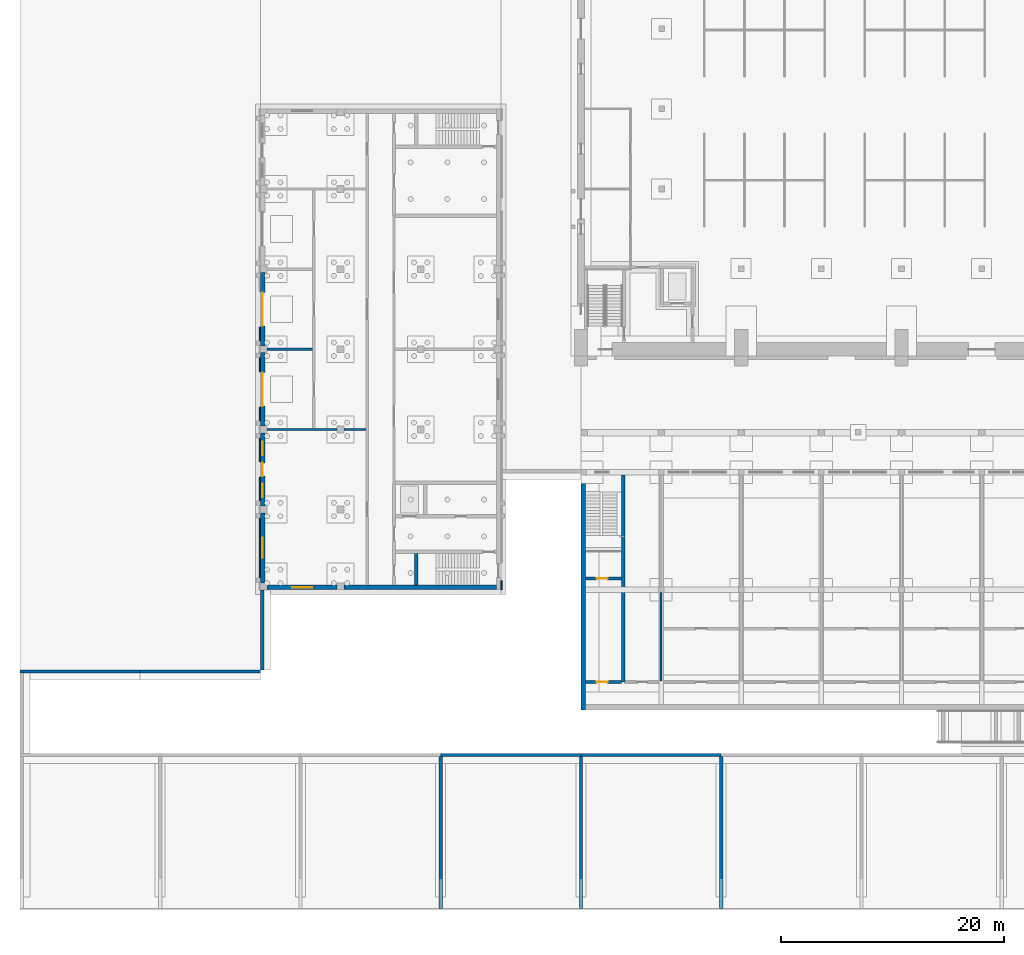
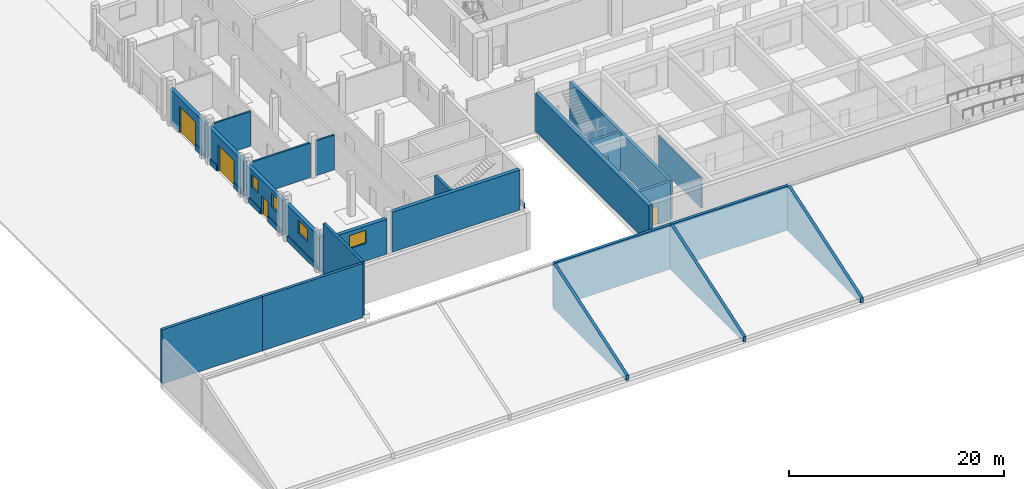
# One storey, part 28 of 73: 30 walls, 5 doors, 4 windows, 9 openings.
"""IFC4 building model written with IfcOpenShell, lengths in metres."""

from ifc_helpers import new_model, si_unit, direction, frame, frame_2d, origin, place, context, subcontext, project, spatial, polyline, rectangle, outline, extrude, material, layer, layer_set, type_object, element, fill, save


model = new_model("IFC4")

# Units and contexts
model_context = context("Model", 3, precision=1e-05, world=origin(), true_north=direction((0.0, 1.0)))
body_context = subcontext(model_context, "Body", "Model", "MODEL_VIEW")
ifc_project = project(units=[si_unit("LENGTHUNIT", "METRE"), si_unit("AREAUNIT", "SQUARE_METRE"), si_unit("VOLUMEUNIT", "CUBIC_METRE"), si_unit("PLANEANGLEUNIT", "RADIAN"), si_unit("MASSUNIT", "GRAM", prefix="KILO")], contexts=[model_context])

# Site, building, storey
site_placement = place(None, origin())
site = spatial("IfcSite", under=ifc_project, at=site_placement, CompositionType="ELEMENT")
building_placement = place(site_placement, origin())
building = spatial("IfcBuilding", under=site, at=building_placement, Name="Alderwick Market Hall", CompositionType="ELEMENT")
storey_placement = place(building_placement, origin())
storey = spatial("IfcBuildingStorey", under=building, at=storey_placement, Name="LG", CompositionType="ELEMENT", Elevation=0.0)

# Walls
ifc_material_1 = material(Name="Concrete masonry 3000 psi", Category="masonry")
ifc_layer_1 = layer(ifc_material_1, 0.199951171875)
ifc_layer_set_1 = layer_set([ifc_layer_1], Name="Concrete masonry 3000 psi")
wall_type_1 = type_object("IfcWallType", Name="A Masonry Partition 200", PredefinedType="PARTITIONING", material=ifc_layer_set_1)
wall_1_placement = place(storey_placement, frame((57.60009765625, 20.60009765625, 0.0), z_axis=(0.0, 0.0, 1.0), x_axis=(0.0, 1.0, 0.0)))
element("IfcWall", 1, at=wall_1_placement, inside=storey, type_object=wall_type_1, Name="A.S.wall.025", PredefinedType="PARTITIONING", context=body_context, shape_type="SweptSolid", body=[
    extrude(rectangle(XDim=7.949951171875, YDim=0.199951171875, at=frame_2d((3.97509765625, 0.0))), origin(), (0.0, 0.0, 1.0), 3.5),
])
ifc_material_2 = material(Name="Concrete 5000 psi (f'c 35 MPa)", Category="concrete")
ifc_layer_2 = layer(ifc_material_2, 0.39990234375)
ifc_layer_set_2 = layer_set([ifc_layer_2], Name="Concrete 5000 psi (f'c 35 MPa)")
wall_type_2 = type_object("IfcWallType", Name="A RC End Wall 400", PredefinedType="SHEAR", material=ifc_layer_set_2)
wall_2_placement = place(storey_placement, frame((50.60009765625, 18.0, 0.0), z_axis=(0.0, 0.0, 1.0), x_axis=(0.0, 1.0, 0.0)))
element("IfcWall", 2, at=wall_2_placement, inside=storey, type_object=wall_type_2, Name="A.S.wall.023", PredefinedType="SHEAR", context=body_context, shape_type="SweptSolid", body=[
    extrude(rectangle(XDim=21.10009765625, YDim=0.39990234375, at=frame_2d((10.550048828125, 0.0))), origin(), (0.0, 0.0, 1.0), 4.39990234375),
])

# Wall, opening, door
ifc_layer_3 = layer(ifc_material_2, 0.300048828125)
ifc_layer_set_3 = layer_set([ifc_layer_3], Name="Concrete 5000 psi (f'c 35 MPa)")
wall_type_3 = type_object("IfcWallType", Name="A RC Stair Core Wall 300", PredefinedType="SHEAR", material=ifc_layer_set_3)
wall_3_placement = place(storey_placement, frame((50.800048828125, 20.5, 0.0), z_axis=(0.0, 0.0, 1.0), x_axis=(1.0, 0.0, 0.0)))
wall_3 = element("IfcWall", 3, at=wall_3_placement, inside=storey, type_object=wall_type_3, Name="A.S.wall.001", PredefinedType="SHEAR", context=body_context, shape_type="SweptSolid", body=[
    extrude(rectangle(XDim=3.25, YDim=0.300048828125, at=frame_2d((1.625, 0.0))), origin(), (0.0, 0.0, 1.0), 4.39990234375),
])
opening_1_placement = place(wall_3_placement, frame((1.0, 0.0, 0.0)))
opening_1 = element("IfcOpeningElement", 4, at=opening_1_placement, cuts=wall_3, Name="Opening A-D091", PredefinedType="OPENING", context=body_context, shape_type="SweptSolid", body=[
    extrude(rectangle(XDim=1.0, YDim=2.10009765625, at=frame_2d((0.5, 1.050048828125))), frame((0.0, 0.159912109375, 0.0), z_axis=(0.0, -1.0, 0.0), x_axis=(1.0, 0.0, 0.0)), (0.0, 0.0, 1.0), 0.320068359375),
])
ifc_material_3 = material(Name="Hollow metal fire door and frame")
door_type_1 = type_object("IfcDoorType", Name="A Fire Door 1000x2100", OperationType="SINGLE_SWING_LEFT", PredefinedType="DOOR", material=ifc_material_3)
door_1_placement = place(opening_1_placement, origin())
door_1 = element("IfcDoor", 5, at=door_1_placement, inside=storey, type_object=door_type_1, Name="Stair lobby corridor door", OperationType="SINGLE_SWING_LEFT", OverallHeight=2.10009765625, OverallWidth=1.0, PredefinedType="DOOR", context=body_context, shape_type="SweptSolid", body=[
    extrude(rectangle(XDim=1.0, YDim=2.10009765625, at=frame_2d((0.5, 1.050048828125))), frame((0.0, 0.02490234375, 0.0), z_axis=(0.0, -1.0, 0.0), x_axis=(1.0, 0.0, 0.0)), (0.0, 0.0, 1.0), 0.050048828125),
])
fill(opening_1, door_1)

wall_4_placement = place(storey_placement, frame((50.800048828125, 29.800048828125, 0.0), z_axis=(0.0, 0.0, 1.0), x_axis=(1.0, 0.0, 0.0)))
wall_4 = element("IfcWall", 6, at=wall_4_placement, inside=storey, type_object=wall_type_3, Name="A.S.wall.005", PredefinedType="SHEAR", context=body_context, shape_type="SweptSolid", body=[
    extrude(rectangle(XDim=3.25, YDim=0.300048828125, at=frame_2d((1.625, 0.0))), origin(), (0.0, 0.0, 1.0), 4.39990234375),
])
opening_2_placement = place(wall_4_placement, frame((1.0, 0.0, 0.0)))
opening_2 = element("IfcOpeningElement", 7, at=opening_2_placement, cuts=wall_4, Name="Opening A-D090", PredefinedType="OPENING", context=body_context, shape_type="SweptSolid", body=[
    extrude(rectangle(XDim=1.0, YDim=2.10009765625, at=frame_2d((0.5, 1.050048828125))), frame((0.0, 0.159912109375, 0.0), z_axis=(0.0, -1.0, 0.0), x_axis=(1.0, 0.0, 0.0)), (0.0, 0.0, 1.0), 0.320068359375),
])
door_2_placement = place(opening_2_placement, origin())
door_2 = element("IfcDoor", 8, at=door_2_placement, inside=storey, type_object=door_type_1, Name="Roof stair lobby door", OperationType="SINGLE_SWING_RIGHT", OverallHeight=2.10009765625, OverallWidth=1.0, PredefinedType="DOOR", context=body_context, shape_type="SweptSolid", body=[
    extrude(rectangle(XDim=1.0, YDim=2.10009765625, at=frame_2d((0.5, 1.050048828125))), frame((0.0, 0.02490234375, 0.0), z_axis=(0.0, -1.0, 0.0), x_axis=(1.0, 0.0, 0.0)), (0.0, 0.0, 1.0), 0.050048828125),
])
fill(opening_2, door_2)

# Walls
wall_5_placement = place(storey_placement, frame((54.199951171875, 20.5, 0.0), z_axis=(0.0, 0.0, 1.0), x_axis=(0.0, 1.0, 0.0)))
element("IfcWall", 9, at=wall_5_placement, inside=storey, type_object=wall_type_3, Name="A.S.wall.024", PredefinedType="SHEAR", context=body_context, shape_type="SweptSolid", body=[
    extrude(rectangle(XDim=18.60009765625, YDim=0.300048828125, at=frame_2d((9.300048828125, 0.0))), origin(), (0.0, 0.0, 1.0), 4.39990234375),
])
ifc_material_4 = material(Name="Cast stone 5000 psi", Category="masonry")
ifc_layer_4 = layer(ifc_material_4, 0.1201171875)
ifc_layer_set_4 = layer_set([ifc_layer_4], Name="Cast stone 5000 psi")
wall_type_4 = type_object("IfcWallType", Name="B Cast Stone Base Course 120", PredefinedType="SOLIDWALL", material=ifc_layer_set_4)
wall_6_placement = place(storey_placement, frame((21.5400390625, 29.85009765625, 0.0), z_axis=(0.0, 0.0, 1.0), x_axis=(0.0, 1.0, 0.0)))
element("IfcWall", 10, at=wall_6_placement, inside=storey, type_object=wall_type_4, Name="B.S.base.W.01", PredefinedType="SOLIDWALL", context=body_context, shape_type="SweptSolid", body=[
    extrude(rectangle(XDim=5.39990234375, YDim=0.1201171875, at=frame_2d((2.699951171875, 0.0))), origin(), (0.0, 0.0, 1.0), 0.60009765625),
])
for number, where, z_axis, x_axis, name in (
    (11, (21.5400390625, 36.75, 0.0), (0.0, 0.0, 1.0), (0.0, 1.0, 0.0), "B.S.base.W.03"),
    (12, (21.5400390625, 40.300048828125, 0.0), (0.0, 0.0, 1.0), (0.0, 1.0, 0.0), "B.S.base.W.04"),
):
    element("IfcWall", number, at=place(storey_placement, frame(where, z_axis=z_axis, x_axis=x_axis)), inside=storey, type_object=wall_type_4, Name=name, PredefinedType="SOLIDWALL", context=body_context, shape_type="SweptSolid", body=[
        extrude(rectangle(XDim=2.14990234375, YDim=0.1201171875, at=frame_2d((1.074951171875, 0.0))), origin(), (0.0, 0.0, 1.0), 0.60009765625),
    ])
for number, where, z_axis, x_axis, name in (
    (13, (21.5400390625, 43.949951171875, 0.0), (0.0, 0.0, 1.0), (0.0, 1.0, 0.0), "B.S.base.W.06"),
    (14, (21.5400390625, 48.39990234375, 0.0), (0.0, 0.0, 1.0), (0.0, 1.0, 0.0), "B.S.base.W.07"),
    (15, (21.5400390625, 51.14990234375, 0.0), (0.0, 0.0, 1.0), (0.0, 1.0, 0.0), "B.S.base.W.09"),
):
    element("IfcWall", number, at=place(storey_placement, frame(where, z_axis=z_axis, x_axis=x_axis)), inside=storey, type_object=wall_type_4, Name=name, PredefinedType="SOLIDWALL", context=body_context, shape_type="SweptSolid", body=[
        extrude(rectangle(XDim=1.25, YDim=0.1201171875, at=frame_2d((0.625, 0.0))), origin(), (0.0, 0.0, 1.0), 0.60009765625),
    ])
wall_7_placement = place(storey_placement, frame((43.260009765625, 28.800048828125, 0.0), z_axis=(0.0, 0.0, 1.0), x_axis=(0.0, 1.0, 0.0)))
element("IfcWall", 16, at=wall_7_placement, inside=storey, type_object=wall_type_4, Name="B.S.base.E.00", PredefinedType="SOLIDWALL", context=body_context, shape_type="SweptSolid", body=[
    extrude(rectangle(XDim=0.800048828125, YDim=0.1201171875, at=frame_2d((0.39990234375, 0.0))), origin(), (0.0, 0.0, 1.0), 0.60009765625),
])

# Wall, opening, window
ifc_layer_5 = layer(ifc_material_4, 0.39990234375)
ifc_layer_set_5 = layer_set([ifc_layer_5], Name="Cast stone 5000 psi")
wall_type_5 = type_object("IfcWallType", Name="B Cast Stone Base Wall 400", PredefinedType="SOLIDWALL", material=ifc_layer_set_5)
wall_8_placement = place(storey_placement, frame((22.199951171875, 29.0, 0.0), z_axis=(0.0, 0.0, 1.0), x_axis=(1.0, 0.0, 0.0)))
wall_8 = element("IfcWall", 17, at=wall_8_placement, inside=storey, type_object=wall_type_5, Name="B.S.wall.LG.000", PredefinedType="SOLIDWALL", context=body_context, shape_type="SweptSolid", body=[
    extrude(rectangle(XDim=6.300048828125, YDim=0.39990234375, at=frame_2d((3.14990234375, 0.0))), origin(), (0.0, 0.0, 1.0), 3.949951171875),
])
opening_3_placement = place(wall_8_placement, frame((2.25, 0.0, 2.0)))
opening_3 = element("IfcOpeningElement", 18, at=opening_3_placement, cuts=wall_8, Name="Opening B-W065", PredefinedType="OPENING", context=body_context, shape_type="SweptSolid", body=[
    extrude(rectangle(XDim=1.800048828125, YDim=1.5, at=frame_2d((0.89990234375, 0.75))), frame((0.0, 0.2099609375, 0.0), z_axis=(0.0, -1.0, 0.0), x_axis=(1.0, 0.0, 0.0)), (0.0, 0.0, 1.0), 0.419921875),
])
ifc_material_5 = material(Name="Aluminium frame", Category="aluminium")
window_type_1 = type_object("IfcWindowType", Name="B Window 1800x1500", PartitioningType="SINGLE_PANEL", PredefinedType="WINDOW", material=ifc_material_5)
window_1_placement = place(opening_3_placement, origin())
window_1 = element("IfcWindow", 19, at=window_1_placement, inside=storey, type_object=window_type_1, Name="Window B-W065", OverallHeight=1.5, OverallWidth=1.800048828125, PartitioningType="SINGLE_PANEL", PredefinedType="WINDOW", context=body_context, shape_type="SweptSolid", body=[
    extrude(rectangle(XDim=1.800048828125, YDim=1.5, at=frame_2d((0.89990234375, 0.75))), frame((0.0, 0.030029296875, 0.0), z_axis=(0.0, -1.0, 0.0), x_axis=(1.0, 0.0, 0.0)), (0.0, 0.0, 1.0), 0.06005859375),
])
fill(opening_3, window_1)

wall_9_placement = place(storey_placement, frame((21.800048828125, 29.39990234375, 0.0), z_axis=(0.0, 0.0, 1.0), x_axis=(0.0, 1.0, 0.0)))
wall_9 = element("IfcWall", 20, at=wall_9_placement, inside=storey, type_object=wall_type_5, Name="B.S.wall.LG.017", PredefinedType="SOLIDWALL", context=body_context, shape_type="SweptSolid", body=[
    extrude(rectangle(XDim=6.300048828125, YDim=0.39990234375, at=frame_2d((3.14990234375, 0.0))), origin(), (0.0, 0.0, 1.0), 3.949951171875),
])
opening_4_placement = place(wall_9_placement, frame((2.25, 0.0, 2.0)))
opening_4 = element("IfcOpeningElement", 21, at=opening_4_placement, cuts=wall_9, Name="Opening B-W067", PredefinedType="OPENING", context=body_context, shape_type="SweptSolid", body=[
    extrude(rectangle(XDim=1.800048828125, YDim=1.5, at=frame_2d((0.89990234375, 0.75))), frame((0.0, 0.2099609375, 0.0), z_axis=(0.0, -1.0, 0.0), x_axis=(1.0, 0.0, 0.0)), (0.0, 0.0, 1.0), 0.419921875),
])
window_2_placement = place(opening_4_placement, origin())
window_2 = element("IfcWindow", 22, at=window_2_placement, inside=storey, type_object=window_type_1, Name="Window B-W067", OverallHeight=1.5, OverallWidth=1.800048828125, PartitioningType="SINGLE_PANEL", PredefinedType="WINDOW", context=body_context, shape_type="SweptSolid", body=[
    extrude(rectangle(XDim=1.800048828125, YDim=1.5, at=frame_2d((0.89990234375, 0.75))), frame((0.0, 0.030029296875, 0.0), z_axis=(0.0, -1.0, 0.0), x_axis=(1.0, 0.0, 0.0)), (0.0, 0.0, 1.0), 0.06005859375),
])
fill(opening_4, window_2)

# Wall, openings, door, windows
wall_10_placement = place(storey_placement, frame((21.800048828125, 36.300048828125, 0.0), z_axis=(0.0, 0.0, 1.0), x_axis=(0.0, 1.0, 0.0)))
wall_10 = element("IfcWall", 23, at=wall_10_placement, inside=storey, type_object=wall_type_5, Name="B.S.wall.LG.018", PredefinedType="SOLIDWALL", context=body_context, shape_type="SweptSolid", body=[
    extrude(rectangle(XDim=6.599853515625, YDim=0.39990234375, at=frame_2d((3.2998046875, 0.0))), origin(), (0.0, 0.0, 1.0), 3.949951171875),
])
opening_5_placement = place(wall_10_placement, frame((2.699951171875, 0.0, 0.0)))
opening_5 = element("IfcOpeningElement", 24, at=opening_5_placement, cuts=wall_10, Name="Opening B-D010", PredefinedType="OPENING", context=body_context, shape_type="SweptSolid", body=[
    extrude(rectangle(XDim=1.199951171875, YDim=2.10009765625, at=frame_2d((0.60009765625, 1.050048828125))), frame((0.0, 0.2099609375, 0.0), z_axis=(0.0, -1.0, 0.0), x_axis=(1.0, 0.0, 0.0)), (0.0, 0.0, 1.0), 0.419921875),
])
opening_6_placement = place(wall_10_placement, frame((0.824951171875, 0.0, 2.0)))
opening_6 = element("IfcOpeningElement", 25, at=opening_6_placement, cuts=wall_10, Name="Opening B-W068", PredefinedType="OPENING", context=body_context, shape_type="SweptSolid", body=[
    extrude(rectangle(XDim=1.199951171875, YDim=1.5, at=frame_2d((0.60009765625, 0.75))), frame((0.0, 0.2099609375, 0.0), z_axis=(0.0, -1.0, 0.0), x_axis=(1.0, 0.0, 0.0)), (0.0, 0.0, 1.0), 0.419921875),
])
opening_7_placement = place(wall_10_placement, frame((4.574951171875, 0.0, 2.0)))
opening_7 = element("IfcOpeningElement", 26, at=opening_7_placement, cuts=wall_10, Name="Opening B-W069", PredefinedType="OPENING", context=body_context, shape_type="SweptSolid", body=[
    extrude(rectangle(XDim=1.199951171875, YDim=1.5, at=frame_2d((0.60009765625, 0.75))), frame((0.0, 0.2099609375, 0.0), z_axis=(0.0, -1.0, 0.0), x_axis=(1.0, 0.0, 0.0)), (0.0, 0.0, 1.0), 0.419921875),
])
ifc_material_6 = material(Name="Hollow metal door and frame")
door_type_2 = type_object("IfcDoorType", Name="B Door 1200x2100", OperationType="SINGLE_SWING_LEFT", PredefinedType="DOOR", material=ifc_material_6)
door_3_placement = place(opening_5_placement, origin())
door_3 = element("IfcDoor", 27, at=door_3_placement, inside=storey, type_object=door_type_2, Name="Plant room door", OperationType="SINGLE_SWING_RIGHT", OverallHeight=2.10009765625, OverallWidth=1.199951171875, PredefinedType="DOOR", context=body_context, shape_type="SweptSolid", body=[
    extrude(rectangle(XDim=1.199951171875, YDim=2.10009765625, at=frame_2d((0.60009765625, 1.050048828125))), frame((0.0, 0.02490234375, 0.0), z_axis=(0.0, -1.0, 0.0), x_axis=(1.0, 0.0, 0.0)), (0.0, 0.0, 1.0), 0.050048828125),
])
fill(opening_5, door_3)
window_type_2 = type_object("IfcWindowType", Name="B Window 1200x1500", PartitioningType="SINGLE_PANEL", PredefinedType="WINDOW", material=ifc_material_5)
window_3_placement = place(opening_6_placement, origin())
window_3 = element("IfcWindow", 28, at=window_3_placement, inside=storey, type_object=window_type_2, Name="Window B-W068", OverallHeight=1.5, OverallWidth=1.199951171875, PartitioningType="SINGLE_PANEL", PredefinedType="WINDOW", context=body_context, shape_type="SweptSolid", body=[
    extrude(rectangle(XDim=1.199951171875, YDim=1.5, at=frame_2d((0.60009765625, 0.75))), frame((0.0, 0.030029296875, 0.0), z_axis=(0.0, -1.0, 0.0), x_axis=(1.0, 0.0, 0.0)), (0.0, 0.0, 1.0), 0.06005859375),
])
fill(opening_6, window_3)
window_4_placement = place(opening_7_placement, origin())
window_4 = element("IfcWindow", 29, at=window_4_placement, inside=storey, type_object=window_type_2, Name="Window B-W069", OverallHeight=1.5, OverallWidth=1.199951171875, PartitioningType="SINGLE_PANEL", PredefinedType="WINDOW", context=body_context, shape_type="SweptSolid", body=[
    extrude(rectangle(XDim=1.199951171875, YDim=1.5, at=frame_2d((0.60009765625, 0.75))), frame((0.0, 0.030029296875, 0.0), z_axis=(0.0, -1.0, 0.0), x_axis=(1.0, 0.0, 0.0)), (0.0, 0.0, 1.0), 0.06005859375),
])
fill(opening_7, window_4)

# Wall, opening, door
wall_11_placement = place(storey_placement, frame((21.800048828125, 43.5, 0.0), z_axis=(0.0, 0.0, 1.0), x_axis=(0.0, 1.0, 0.0)))
wall_11 = element("IfcWall", 30, at=wall_11_placement, inside=storey, type_object=wall_type_5, Name="B.S.wall.LG.019", PredefinedType="SOLIDWALL", context=body_context, shape_type="SweptSolid", body=[
    extrude(rectangle(XDim=6.60009765625, YDim=0.39990234375, at=frame_2d((3.300048828125, 0.0))), origin(), (0.0, 0.0, 1.0), 3.949951171875),
])
opening_8_placement = place(wall_11_placement, frame((1.800048828125, 0.0, 0.0)))
opening_8 = element("IfcOpeningElement", 31, at=opening_8_placement, cuts=wall_11, Name="Opening B-D011", PredefinedType="OPENING", context=body_context, shape_type="SweptSolid", body=[
    extrude(rectangle(XDim=3.0, YDim=3.0, at=frame_2d((1.5, 1.5))), frame((0.0, 0.2099609375, 0.0), z_axis=(0.0, -1.0, 0.0), x_axis=(1.0, 0.0, 0.0)), (0.0, 0.0, 1.0), 0.419921875),
])
ifc_material_7 = material(Name="Insulated steel sectional door", Category="steel")
door_type_3 = type_object("IfcDoorType", Name="B Sectional Dock Door 3000x3000", OperationType="ROLLINGUP", PredefinedType="DOOR", material=ifc_material_7)
door_4_placement = place(opening_8_placement, origin())
door_4 = element("IfcDoor", 32, at=door_4_placement, inside=storey, type_object=door_type_3, Name="Loading dock door", OperationType="ROLLINGUP", OverallHeight=3.0, OverallWidth=3.0, PredefinedType="DOOR", context=body_context, shape_type="SweptSolid", body=[
    extrude(rectangle(XDim=3.0, YDim=3.0, at=frame_2d((1.5, 1.5))), frame((0.0, 0.02490234375, 0.0), z_axis=(0.0, -1.0, 0.0), x_axis=(1.0, 0.0, 0.0)), (0.0, 0.0, 1.0), 0.050048828125),
])
fill(opening_8, door_4)

wall_12_placement = place(storey_placement, frame((21.800048828125, 50.699951171875, 0.0), z_axis=(0.0, 0.0, 1.0), x_axis=(0.0, 1.0, 0.0)))
wall_12 = element("IfcWall", 33, at=wall_12_placement, inside=storey, type_object=wall_type_5, Name="B.S.wall.LG.020", PredefinedType="SOLIDWALL", context=body_context, shape_type="SweptSolid", body=[
    extrude(rectangle(XDim=6.60009765625, YDim=0.39990234375, at=frame_2d((3.300048828125, 0.0))), origin(), (0.0, 0.0, 1.0), 3.949951171875),
])
opening_9_placement = place(wall_12_placement, frame((1.800048828125, 0.0, 0.0)))
opening_9 = element("IfcOpeningElement", 34, at=opening_9_placement, cuts=wall_12, Name="Opening B-D012", PredefinedType="OPENING", context=body_context, shape_type="SweptSolid", body=[
    extrude(rectangle(XDim=3.0, YDim=3.0, at=frame_2d((1.5, 1.5))), frame((0.0, 0.2099609375, 0.0), z_axis=(0.0, -1.0, 0.0), x_axis=(1.0, 0.0, 0.0)), (0.0, 0.0, 1.0), 0.419921875),
])
door_5_placement = place(opening_9_placement, origin())
door_5 = element("IfcDoor", 35, at=door_5_placement, inside=storey, type_object=door_type_3, Name="Loading dock door", OperationType="ROLLINGUP", OverallHeight=3.0, OverallWidth=3.0, PredefinedType="DOOR", context=body_context, shape_type="SweptSolid", body=[
    extrude(rectangle(XDim=3.0, YDim=3.0, at=frame_2d((1.5, 1.5))), frame((0.0, 0.02490234375, 0.0), z_axis=(0.0, -1.0, 0.0), x_axis=(1.0, 0.0, 0.0)), (0.0, 0.0, 1.0), 0.050048828125),
])
fill(opening_9, door_5)

# Walls
ifc_layer_6 = layer(ifc_material_1, 0.199951171875)
ifc_layer_set_6 = layer_set([ifc_layer_6], Name="Concrete masonry 3000 psi")
wall_type_6 = type_object("IfcWallType", Name="B Masonry Partition 200", PredefinedType="PARTITIONING", material=ifc_layer_set_6)
wall_13_placement = place(storey_placement, frame((22.199951171875, 43.199951171875, 0.0), z_axis=(0.0, 0.0, 1.0), x_axis=(1.0, 0.0, 0.0)))
element("IfcWall", 36, at=wall_13_placement, inside=storey, type_object=wall_type_6, Name="B.S.wall.LG.005", PredefinedType="PARTITIONING", context=body_context, shape_type="SweptSolid", body=[
    extrude(rectangle(XDim=6.300048828125, YDim=0.199951171875, at=frame_2d((3.14990234375, 0.0))), origin(), (0.0, 0.0, 1.0), 3.949951171875),
])
wall_14_placement = place(storey_placement, frame((29.10009765625, 43.199951171875, 0.0), z_axis=(0.0, 0.0, 1.0), x_axis=(1.0, 0.0, 0.0)))
element("IfcWall", 37, at=wall_14_placement, inside=storey, type_object=wall_type_6, Name="B.S.wall.LG.006", PredefinedType="PARTITIONING", context=body_context, shape_type="SweptSolid", body=[
    extrude(rectangle(XDim=2.0, YDim=0.199951171875, at=frame_2d((1.0, 0.0))), origin(), (0.0, 0.0, 1.0), 3.949951171875),
])
wall_15_placement = place(storey_placement, frame((22.199951171875, 50.39990234375, 0.0), z_axis=(0.0, 0.0, 1.0), x_axis=(1.0, 0.0, 0.0)))
element("IfcWall", 38, at=wall_15_placement, inside=storey, type_object=wall_type_6, Name="B.S.wall.LG.007", PredefinedType="PARTITIONING", context=body_context, shape_type="SweptSolid", body=[
    extrude(rectangle(XDim=4.10009765625, YDim=0.199951171875, at=frame_2d((2.050048828125, 0.0))), origin(), (0.0, 0.0, 1.0), 3.949951171875),
])
ifc_layer_7 = layer(ifc_material_2, 0.39990234375)
ifc_layer_set_7 = layer_set([ifc_layer_7], Name="Concrete 5000 psi (f'c 35 MPa)")
wall_type_7 = type_object("IfcWallType", Name="B RC Core Facade Wall 400", PredefinedType="SHEAR", material=ifc_layer_set_7)
wall_16_placement = place(storey_placement, frame((29.10009765625, 29.0, 0.0), z_axis=(0.0, 0.0, 1.0), x_axis=(1.0, 0.0, 0.0)))
element("IfcWall", 39, at=wall_16_placement, inside=storey, type_object=wall_type_7, Name="B.S.wall.LG.001", PredefinedType="SHEAR", context=body_context, shape_type="SweptSolid", body=[
    extrude(rectangle(XDim=13.699951171875, YDim=0.39990234375, at=frame_2d((6.85009765625, 0.0))), origin(), (0.0, 0.0, 1.0), 4.550048828125),
])
ifc_layer_8 = layer(ifc_material_2, 0.300048828125)
ifc_layer_set_8 = layer_set([ifc_layer_8], Name="Concrete 5000 psi (f'c 35 MPa)")
wall_type_8 = type_object("IfcWallType", Name="B RC Core Wall 300", PredefinedType="SHEAR", material=ifc_layer_set_8)
wall_17_placement = place(storey_placement, frame((35.60009765625, 29.199951171875, 0.0), z_axis=(0.0, 0.0, 1.0), x_axis=(0.0, 1.0, 0.0)))
element("IfcWall", 40, at=wall_17_placement, inside=storey, type_object=wall_type_8, Name="B.S.wall.LG.028", PredefinedType="SHEAR", context=body_context, shape_type="SweptSolid", body=[
    extrude(rectangle(XDim=2.85009765625, YDim=0.300048828125, at=frame_2d((1.425048828125, 0.0))), origin(), (0.0, 0.0, 1.0), 4.550048828125),
])
ifc_layer_9 = layer(ifc_material_2, 0.300048828125)
ifc_layer_set_9 = layer_set([ifc_layer_9], Name="Concrete 5000 psi (f'c 35 MPa)")
wall_type_9 = type_object("IfcWallType", Name="S Retaining Wall 300", PredefinedType="SOLIDWALL", material=ifc_layer_set_9)
wall_18_placement = place(storey_placement, frame((21.75, 21.60009765625, -0.25), z_axis=(0.0, 0.0, 1.0), x_axis=(0.0, 1.0, 0.0)))
element("IfcWall", 41, at=wall_18_placement, inside=storey, type_object=wall_type_9, Name="Retaining wall 01a", PredefinedType="SOLIDWALL", context=body_context, shape_type="SweptSolid", body=[
    extrude(rectangle(XDim=7.18994140625, YDim=0.300048828125, at=frame_2d((3.594970703125, 0.0))), origin(), (0.0, 0.0, 1.0), 6.14990234375),
])
wall_19_placement = place(storey_placement, frame((0.0009765625, 21.449951171875, -0.25), z_axis=(0.0, 0.0, 1.0), x_axis=(1.0, 0.0, 0.0)))
element("IfcWall", 42, at=wall_19_placement, inside=storey, type_object=wall_type_9, Name="Retaining wall 02a", PredefinedType="SOLIDWALL", context=body_context, shape_type="SweptSolid", body=[
    extrude(rectangle(XDim=10.799072265625, YDim=0.300048828125, at=frame_2d((5.3994140625, 0.0))), origin(), (0.0, 0.0, 1.0), 6.14990234375),
])
wall_20_placement = place(storey_placement, frame((10.800048828125, 21.449951171875, -0.25), z_axis=(0.0, 0.0, 1.0), x_axis=(1.0, 0.0, 0.0)))
element("IfcWall", 43, at=wall_20_placement, inside=storey, type_object=wall_type_9, Name="Retaining wall 02b", PredefinedType="SOLIDWALL", context=body_context, shape_type="SweptSolid", body=[
    extrude(rectangle(XDim=10.800048828125, YDim=0.300048828125, at=frame_2d((5.39990234375, 0.0))), origin(), (0.0, 0.0, 1.0), 6.14990234375),
])
wall_21_placement = place(storey_placement, frame((37.800048828125, 13.949951171875, -0.25), z_axis=(0.0, 0.0, 1.0), x_axis=(1.0, 0.0, 0.0)))
element("IfcWall", 44, at=wall_21_placement, inside=storey, type_object=wall_type_9, Name="Berm crest wall S04", PredefinedType="SOLIDWALL", context=body_context, shape_type="SweptSolid", body=[
    extrude(rectangle(XDim=12.599853515625, YDim=0.300048828125, at=frame_2d((6.2998046875, 0.0))), origin(), (0.0, 0.0, 1.0), 5.050048828125),
])
wall_22_placement = place(storey_placement, frame((50.39990234375, 13.949951171875, -0.25), z_axis=(0.0, 0.0, 1.0), x_axis=(1.0, 0.0, 0.0)))
element("IfcWall", 45, at=wall_22_placement, inside=storey, type_object=wall_type_9, Name="Berm crest wall S05", PredefinedType="SOLIDWALL", context=body_context, shape_type="SweptSolid", body=[
    extrude(rectangle(XDim=12.60009765625, YDim=0.300048828125, at=frame_2d((6.300048828125, 0.0))), origin(), (0.0, 0.0, 1.0), 5.050048828125),
])
for number, where, z_axis, x_axis, name in (
    (46, (37.800048828125, 13.800048828125, -0.25), (0.0, 0.0, 1.0), (0.0, -1.0, 0.0), "Berm cross wall S04"),
    (47, (50.39990234375, 13.800048828125, -0.25), (0.0, 0.0, 1.0), (0.0, -1.0, 0.0), "Berm cross wall S05"),
    (48, (63.0, 13.800048828125, -0.25), (0.0, 0.0, 1.0), (0.0, -1.0, 0.0), "Berm cross wall S06"),
):
    element("IfcWall", number, at=place(storey_placement, frame(where, z_axis=z_axis, x_axis=x_axis)), inside=storey, type_object=wall_type_9, Name=name, PredefinedType="SOLIDWALL", context=body_context, shape_type="SweptSolid", body=[
        extrude(outline(polyline([(0.0, 0.0), (13.632080078125, 0.0), (13.632080078125, 0.569091796875), (0.189697265625, 5.050048828125), (0.0, 5.050048828125), (0.0, 0.0)])), frame((0.0, 0.14990234375, 0.0), z_axis=(0.0, -1.0, 0.0), x_axis=(1.0, 0.0, 0.0)), (0.0, 0.0, 1.0), 0.300048828125),
    ])

save(model, "model.ifc")
